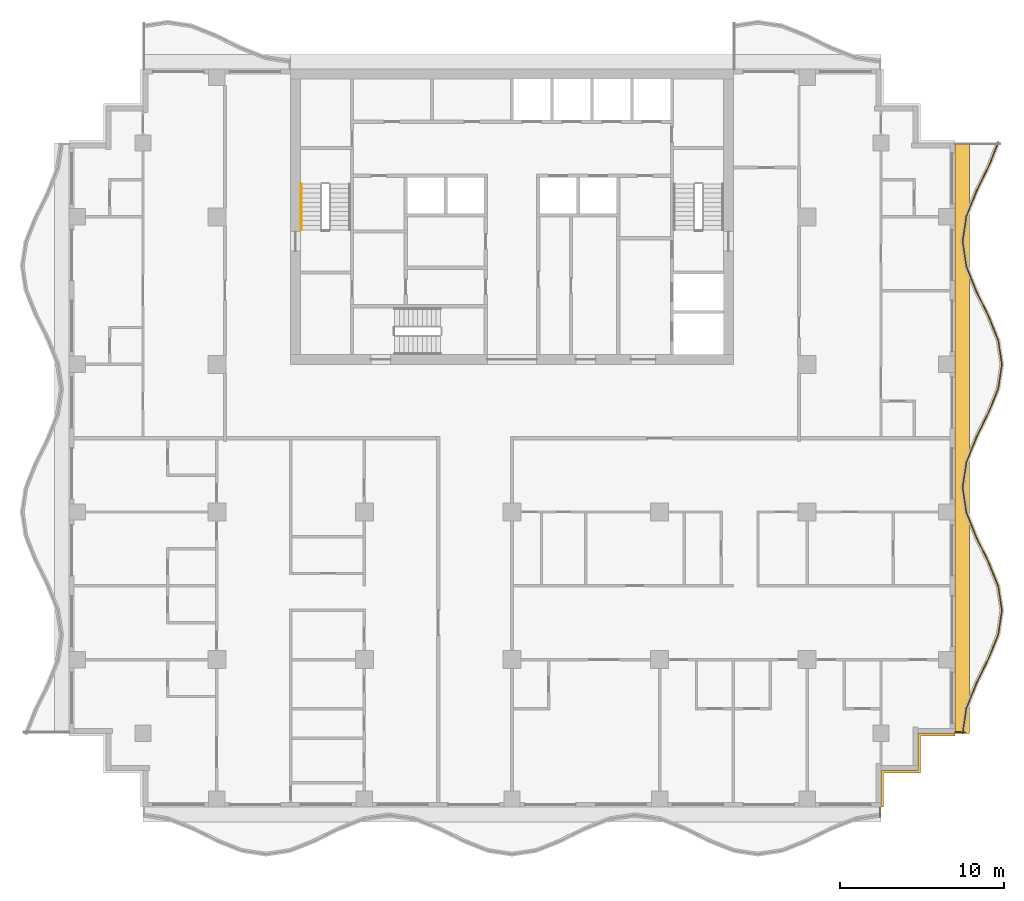
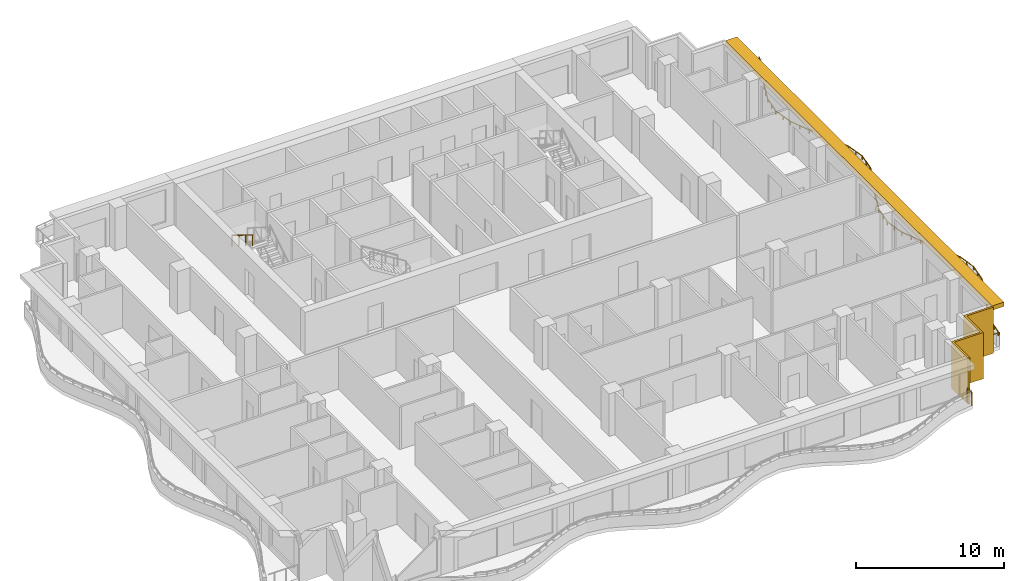
# One storey, part 10 of 12: 4 railings, 2 shading devices.
"""IFC4 building model written with IfcOpenShell, lengths in metres."""

import ifcopenshell
import ifcopenshell.guid

model = None  # the IFC model being written
_history = None  # IfcOwnerHistory: only IFC2X3 demands one
_inside = {}  # id of a spatial element -> (the spatial element, [elements in it])
_under = {}  # id of a project, library or spatial element -> (it, [spatial elements below it])
_declared = {}  # id of a project -> (the project, [libraries it declares])
_typed = {}  # id of a type object -> (the type object, [elements of that type])
_made_of = {}  # id of a material, layer set ... -> (it, [elements and type objects made of it])


def new_model(schema):
    """Start an empty IFC model of exactly this schema.

    Asked for "IFC4X3", IfcOpenShell would pick the latest addendum, in which some entities
    have other attributes; the version numbers below select the first issue.
    IFC2X3 requires an IfcOwnerHistory on every rooted entity: one is made here for all.
    """
    global model, _history
    if schema == "IFC4X3":
        model = ifcopenshell.file(schema_version=(4, 3, 0, 0))
    else:
        model = ifcopenshell.file(schema=schema)
    _inside.clear()
    _under.clear()
    _declared.clear()
    _typed.clear()
    _made_of.clear()
    _history = None
    if model.schema == "IFC2X3":
        org = make("IfcOrganization", Name="unknown")
        user = make(
            "IfcPersonAndOrganization",
            ThePerson=make("IfcPerson", FamilyName="unknown"),
            TheOrganization=org,
        )
        app = make(
            "IfcApplication",
            ApplicationDeveloper=org,
            Version="unknown",
            ApplicationFullName="unknown",
            ApplicationIdentifier="unknown",
        )
        _history = make(
            "IfcOwnerHistory",
            OwningUser=user,
            OwningApplication=app,
            ChangeAction="ADDED",
            CreationDate=0,
        )
    return model


def make(cls, **values):
    """One entity of the class cls with the attributes given. An attribute that is None is left unset."""
    return model.create_entity(
        cls, **{name: value for name, value in values.items() if value is not None}
    )


def rooted(cls, **values):
    """An entity with a GlobalId (a new one), such as an element, a storey or a relation."""
    return make(cls, GlobalId=ifcopenshell.guid.new(), OwnerHistory=_history, **values)


def si_unit(unit_type, name, prefix=None):
    """IfcSIUnit, for example si_unit("LENGTHUNIT", "METRE", prefix="MILLI")."""
    return make("IfcSIUnit", UnitType=unit_type, Prefix=prefix, Name=name)


def assignment(units):
    """IfcUnitAssignment: the units of a project."""
    return None if units is None else make("IfcUnitAssignment", Units=units)


def point(xyz):
    """IfcCartesianPoint."""
    return None if xyz is None else make("IfcCartesianPoint", Coordinates=xyz)


def direction(xyz):
    """IfcDirection."""
    return None if xyz is None else make("IfcDirection", DirectionRatios=xyz)


def frame(location, z_axis=None, x_axis=None):
    """IfcAxis2Placement3D, a coordinate frame: its origin and axes. An axis left out is left unset."""
    return make(
        "IfcAxis2Placement3D",
        Location=point(location),
        Axis=direction(z_axis),
        RefDirection=direction(x_axis),
    )


def frame_2d(location, x_axis=None):
    """IfcAxis2Placement2D, a coordinate frame in the plane: its origin and x axis."""
    return make(
        "IfcAxis2Placement2D", Location=point(location), RefDirection=direction(x_axis)
    )


def origin():
    """The frame at (0, 0, 0) with its axes left unset."""
    return frame((0.0, 0.0, 0.0))


def origin_2d():
    """The frame at (0, 0) in the plane with its x axis left unset."""
    return frame_2d((0.0, 0.0))


def place(relative_to, where):
    """IfcLocalPlacement: puts the frame where relative to a parent placement (None: the world)."""
    return make(
        "IfcLocalPlacement", PlacementRelTo=relative_to, RelativePlacement=where
    )


def context(
    kind, dimensions, precision=None, world=None, true_north=None, identifier=None
):
    """IfcGeometricRepresentationContext, for example the 3D "Model" context."""
    return make(
        "IfcGeometricRepresentationContext",
        ContextIdentifier=identifier,
        ContextType=kind,
        CoordinateSpaceDimension=dimensions,
        Precision=precision,
        WorldCoordinateSystem=world,
        TrueNorth=true_north,
    )


def subcontext(parent, identifier, kind, view, scale=None):
    """IfcGeometricRepresentationSubContext, for example "Body" below "Model"."""
    return make(
        "IfcGeometricRepresentationSubContext",
        ContextIdentifier=identifier,
        ContextType=kind,
        ParentContext=parent,
        TargetScale=scale,
        TargetView=view,
    )


def project(units=None, contexts=None):
    """IfcProject with its units and contexts."""
    return rooted(
        "IfcProject",
        Name="project",
        RepresentationContexts=contexts,
        UnitsInContext=assignment(units),
    )


def spatial(cls, under=None, at=None, **own):
    """A site, building, storey or space (cls), placed at a placement, below another one or the project."""
    s = rooted(cls, ObjectPlacement=at, **own)
    if under is not None:
        _under.setdefault(under.id(), (under, []))[1].append(s)
    return s


def polyline(points):
    """IfcPolyline through the points."""
    return make("IfcPolyline", Points=[point(p) for p in points])


def profile(cls, at=None, kind="AREA", **sizes):
    """A parametric profile (cls). Its sizes go by their IFC names, for example OverallWidth=200.0."""
    return make(cls, ProfileType=kind, Position=at, **sizes)


def rectangle(**sizes):
    """IfcRectangleProfileDef."""
    return profile("IfcRectangleProfileDef", **sizes)


def circle(**sizes):
    """IfcCircleProfileDef."""
    return profile("IfcCircleProfileDef", **sizes)


def outline(outer, holes=None, kind="AREA"):
    """IfcArbitraryClosedProfileDef: a profile drawn as a closed curve; with holes, ...WithVoids."""
    if holes is None:
        return make("IfcArbitraryClosedProfileDef", ProfileType=kind, OuterCurve=outer)
    return make(
        "IfcArbitraryProfileDefWithVoids",
        ProfileType=kind,
        OuterCurve=outer,
        InnerCurves=holes,
    )


def extrude(swept, where, along, depth):
    """IfcExtrudedAreaSolid: the profile swept, set in the frame where, extruded along a direction by depth."""
    return make(
        "IfcExtrudedAreaSolid",
        SweptArea=swept,
        Position=where,
        ExtrudedDirection=direction(along),
        Depth=depth,
    )


def shape(context_of_items, identifier, shape_type, items):
    """IfcShapeRepresentation: the items that make up one representation, for example the "Body"."""
    return make(
        "IfcShapeRepresentation",
        ContextOfItems=context_of_items,
        RepresentationIdentifier=identifier,
        RepresentationType=shape_type,
        Items=items,
    )


def material(Name=None, Category=None):
    """IfcMaterial."""
    return make("IfcMaterial", Name=Name, Category=Category)


def layer(
    of_material, thickness, ventilated=None, Name=None, Category=None, Priority=None
):
    """IfcMaterialLayer: one layer of a wall or slab, of a material (None: an air gap)."""
    return make(
        "IfcMaterialLayer",
        Material=of_material,
        LayerThickness=thickness,
        IsVentilated=ventilated,
        Name=Name,
        Category=Category,
        Priority=Priority,
    )


def layer_set(layers, Name=None):
    """IfcMaterialLayerSet."""
    return make("IfcMaterialLayerSet", MaterialLayers=layers, LayerSetName=Name)


def made_of(thing, what):
    """Note that an element or type object is made of a material, layer set ...; save() writes the relation."""
    if what is not None:
        _made_of.setdefault(what.id(), (what, []))[1].append(thing)
    return thing


def type_object(cls, material=None, **own):
    """A type object (cls), such as IfcWallType, which elements share."""
    return made_of(rooted(cls, **own), material)


def element(
    cls,
    number,
    at=None,
    inside=None,
    cuts=None,
    type_object=None,
    material=None,
    context=None,
    identifier="Body",
    shape_type=None,
    held_by="IfcProductDefinitionShape",
    body=None,
    shapes=None,
    **own,
):
    """One element of the class cls, such as IfcWall. Its Tag is "e" and its number.

    at: its placement. inside: the storey or other place that contains it. cuts: it is an
    opening in that element (IfcRelVoidsElement). A single representation is given by context,
    identifier, shape_type and body (its items); several are given by shapes. held_by: the class
    of the entity that holds the representations. save() writes the other relations.
    """
    e = rooted(cls, Tag="e%d" % number, ObjectPlacement=at, **own)
    if body is not None:
        shapes = [shape(context, identifier, shape_type, body)]
    if shapes is not None:
        e.Representation = make(held_by, Representations=shapes)
    if inside is not None:
        _inside.setdefault(inside.id(), (inside, []))[1].append(e)
    if cuts is not None:
        rooted(
            "IfcRelVoidsElement", RelatingBuildingElement=cuts, RelatedOpeningElement=e
        )
    if type_object is not None:
        _typed.setdefault(type_object.id(), (type_object, []))[1].append(e)
    return made_of(e, material)


def aggregate(whole, parts):
    """IfcRelAggregates: a whole, such as a stair, and the parts it consists of."""
    return rooted("IfcRelAggregates", RelatingObject=whole, RelatedObjects=parts)


def save(model, path):
    """Write the relations noted so far, then the file.

    IfcRelAggregates (storeys below a building ...), IfcRelContainedInSpatialStructure (elements
    in a storey), IfcRelDefinesByType, IfcRelAssociatesMaterial and IfcRelDeclares: one each for
    every whole, place, type object, material and project.
    """
    for whole, parts in _under.values():
        aggregate(whole, parts)
    for where, things in _inside.values():
        rooted(
            "IfcRelContainedInSpatialStructure",
            RelatedElements=things,
            RelatingStructure=where,
        )
    for kind, things in _typed.values():
        rooted("IfcRelDefinesByType", RelatedObjects=things, RelatingType=kind)
    for what, things in _made_of.values():
        rooted("IfcRelAssociatesMaterial", RelatedObjects=things, RelatingMaterial=what)
    for by, libraries in _declared.values():
        rooted("IfcRelDeclares", RelatingContext=by, RelatedDefinitions=libraries)
    model.write(path)


model = new_model("IFC4")

# Units and contexts
model_context = context("Model", 3, precision=1e-05, world=origin(), true_north=direction((0.0, 1.0)))
body_context = subcontext(model_context, "Body", "Model", "MODEL_VIEW")
ifc_project = project(units=[si_unit("LENGTHUNIT", "METRE"), si_unit("AREAUNIT", "SQUARE_METRE"), si_unit("VOLUMEUNIT", "CUBIC_METRE"), si_unit("PLANEANGLEUNIT", "RADIAN"), si_unit("MASSUNIT", "GRAM", prefix="KILO")], contexts=[model_context])

# Site, building, storey
site_placement = place(None, origin())
site = spatial("IfcSite", under=ifc_project, at=site_placement, CompositionType="ELEMENT")
building_placement = place(site_placement, origin())
building = spatial("IfcBuilding", under=site, at=building_placement, Name="Orbiselva Terraces", CompositionType="ELEMENT")
storey_placement = place(building_placement, frame((0.0, 0.0, 203.4)))
storey = spatial("IfcBuildingStorey", under=building, at=storey_placement, Name="L51", CompositionType="ELEMENT", Elevation=203.4)

# Railings
ifc_material_1 = material(Name="Stainless steel", Category="steel")
railing_type_1 = type_object("IfcRailingType", Name="CORE-HANDRAIL-900", PredefinedType="HANDRAIL", material=ifc_material_1)
railing_1_placement = place(storey_placement, frame((-12.85, 15.5, 2.072727)))
element("IfcRailing", 1, at=railing_1_placement, inside=storey, type_object=railing_type_1, Name="L51 S1 stair handrail 2", PredefinedType="HANDRAIL", context=body_context, shape_type="SweptSolid", body=[
    extrude(circle(Radius=0.024, at=origin_2d()), frame((0.0, 0.0, 0.876), z_axis=(0.0, -0.851088519012, 0.52502222125), x_axis=(1.0, 0.0, 0.0)), (0.0, 0.0, 1.0), 3.289905),
    extrude(circle(Radius=0.021, at=origin_2d()), origin(), (0.0, 0.0, 1.0), 0.852),
    extrude(circle(Radius=0.021, at=origin_2d()), frame((0.0, -0.933333, 0.575758)), (0.0, 0.0, 1.0), 0.852),
    extrude(circle(Radius=0.021, at=origin_2d()), frame((0.0, -1.866667, 1.151515)), (0.0, 0.0, 1.0), 0.852),
    extrude(circle(Radius=0.021, at=origin_2d()), frame((0.0, -2.8, 1.727273)), (0.0, 0.0, 1.0), 0.852),
])
ifc_material_2 = material(Name="Bonded two-ply safety glass balustrade, stainless steel posts", Category="steel")
railing_type_2 = type_object("IfcRailingType", Name="ENV-BALUSTRADE-1200", PredefinedType="BALUSTRADE", material=ifc_material_2)
railing_2_placement = place(storey_placement, frame((27.476434, -17.981121, 0.9)))
element("IfcRailing", 2, at=railing_2_placement, inside=storey, type_object=railing_type_2, Name="Balcony balustrade L51 E", PredefinedType="BALUSTRADE", context=body_context, shape_type="SweptSolid", body=[
    extrude(outline(polyline([(0.028868, 0.0), (0.014434, 0.025), (-0.014434, 0.025), (-0.028868, 0.0), (-0.014434, -0.025), (0.014434, -0.025), (0.028868, 0.0)])), frame((0.0, 0.0, 0.275), z_axis=(0.151033869252, 0.988528588529, 0.0), x_axis=(-0.988528588529, 0.151033869252, 0.0)), (0.0, 0.0, 1.0), 1.531776),
    extrude(outline(polyline([(0.028868, 0.0), (0.014434, 0.025), (-0.014434, 0.025), (-0.028868, 0.0), (-0.014434, -0.025), (0.014434, -0.025), (0.028868, 0.0)])), frame((0.23135, 1.514204, 0.275), z_axis=(0.371390359967, 0.92847681744, 0.0), x_axis=(-0.92847681744, 0.371390359967, 0.0)), (0.0, 0.0, 1.0), 1.634838),
    extrude(outline(polyline([(0.028868, 0.0), (0.014434, 0.025), (-0.014434, 0.025), (-0.028868, 0.0), (-0.014434, -0.025), (0.014434, -0.025), (0.028868, 0.0)])), frame((0.838513, 3.032113, 0.275), z_axis=(0.443212307306, 0.896416672454, 0.0), x_axis=(-0.896416672454, 0.443212307306, 0.0)), (0.0, 0.0, 1.0), 1.673329),
    extrude(outline(polyline([(0.028868, 0.0), (0.014434, 0.025), (-0.014434, 0.025), (-0.028868, 0.0), (-0.014434, -0.025), (0.014434, -0.025), (0.028868, 0.0)])), frame((1.580153, 4.532113, 0.275), z_axis=(0.371391000387, 0.928476561272, 0.0), x_axis=(-0.928476561272, 0.371391000387, 0.0)), (0.0, 0.0, 1.0), 1.596261),
    extrude(outline(polyline([(0.028868, 0.0), (0.014434, 0.025), (-0.014434, 0.025), (-0.028868, 0.0), (-0.014434, -0.025), (0.014434, -0.025), (0.028868, 0.0)])), frame((2.17299, 6.014204, 0.275), z_axis=(0.151033749027, 0.988528606898, 0.0), x_axis=(-0.988528606898, 0.151033749027, 0.0)), (0.0, 0.0, 1.0), 1.48394),
    extrude(outline(polyline([(0.028868, 0.0), (0.014434, 0.025), (-0.014434, 0.025), (-0.028868, 0.0), (-0.014434, -0.025), (0.014434, -0.025), (0.028868, 0.0)])), frame((2.397115, 7.481121, 0.275), z_axis=(-0.151033749027, 0.988528606898, 0.0), x_axis=(-0.988528606898, -0.151033749027, 0.0)), (0.0, 0.0, 1.0), 1.48394),
    extrude(outline(polyline([(0.028868, 0.0), (0.014434, 0.025), (-0.014434, 0.025), (-0.028868, 0.0), (-0.014434, -0.025), (0.014434, -0.025), (0.028868, 0.0)])), frame((2.17299, 8.948038, 0.275), z_axis=(-0.371391000387, 0.928476561272, 0.0), x_axis=(-0.928476561272, -0.371391000387, 0.0)), (0.0, 0.0, 1.0), 1.596261),
    extrude(outline(polyline([(0.028868, 0.0), (0.014434, 0.025), (-0.014434, 0.025), (-0.028868, 0.0), (-0.014434, -0.025), (0.014434, -0.025), (0.028868, 0.0)])), frame((1.580153, 10.430129, 0.275), z_axis=(-0.443212307306, 0.896416672454, 0.0), x_axis=(-0.896416672454, -0.443212307306, 0.0)), (0.0, 0.0, 1.0), 1.673329),
    extrude(outline(polyline([(0.028868, 0.0), (0.014434, 0.025), (-0.014434, 0.025), (-0.028868, 0.0), (-0.014434, -0.025), (0.014434, -0.025), (0.028868, 0.0)])), frame((0.838513, 11.930129, 0.275), z_axis=(-0.371390359967, 0.92847681744, 0.0), x_axis=(-0.92847681744, -0.371390359967, 0.0)), (0.0, 0.0, 1.0), 1.634838),
    extrude(outline(polyline([(0.028868, 0.0), (0.014434, 0.025), (-0.014434, 0.025), (-0.028868, 0.0), (-0.014434, -0.025), (0.014434, -0.025), (0.028868, 0.0)])), frame((0.23135, 13.448038, 0.275), z_axis=(-0.151034211256, 0.988528536275, 0.0), x_axis=(-0.988528536275, -0.151034211256, 0.0)), (0.0, 0.0, 1.0), 1.550874),
    extrude(outline(polyline([(0.028868, 0.0), (0.014434, 0.025), (-0.014434, 0.025), (-0.028868, 0.0), (-0.014434, -0.025), (0.014434, -0.025), (0.028868, 0.0)])), frame((-0.002885, 14.981121, 0.275), z_axis=(0.151034211256, 0.988528536275, 0.0), x_axis=(-0.988528536275, 0.151034211256, 0.0)), (0.0, 0.0, 1.0), 1.550874),
    extrude(outline(polyline([(0.028868, 0.0), (0.014434, 0.025), (-0.014434, 0.025), (-0.028868, 0.0), (-0.014434, -0.025), (0.014434, -0.025), (0.028868, 0.0)])), frame((0.23135, 16.514204, 0.275), z_axis=(0.371390359967, 0.92847681744, 0.0), x_axis=(-0.92847681744, 0.371390359967, 0.0)), (0.0, 0.0, 1.0), 1.634838),
    extrude(outline(polyline([(0.028868, 0.0), (0.014434, 0.025), (-0.014434, 0.025), (-0.028868, 0.0), (-0.014434, -0.025), (0.014434, -0.025), (0.028868, 0.0)])), frame((0.838513, 18.032113, 0.275), z_axis=(0.443212307306, 0.896416672454, 0.0), x_axis=(-0.896416672454, 0.443212307306, 0.0)), (0.0, 0.0, 1.0), 1.673329),
    extrude(outline(polyline([(0.028868, 0.0), (0.014434, 0.025), (-0.014434, 0.025), (-0.028868, 0.0), (-0.014434, -0.025), (0.014434, -0.025), (0.028868, 0.0)])), frame((1.580153, 19.532113, 0.275), z_axis=(0.371391000387, 0.928476561272, 0.0), x_axis=(-0.928476561272, 0.371391000387, 0.0)), (0.0, 0.0, 1.0), 1.596261),
    extrude(outline(polyline([(0.028868, 0.0), (0.014434, 0.025), (-0.014434, 0.025), (-0.028868, 0.0), (-0.014434, -0.025), (0.014434, -0.025), (0.028868, 0.0)])), frame((2.17299, 21.014204, 0.275), z_axis=(0.151033749027, 0.988528606898, 0.0), x_axis=(-0.988528606898, 0.151033749027, 0.0)), (0.0, 0.0, 1.0), 1.48394),
    extrude(outline(polyline([(0.028868, 0.0), (0.014434, 0.025), (-0.014434, 0.025), (-0.028868, 0.0), (-0.014434, -0.025), (0.014434, -0.025), (0.028868, 0.0)])), frame((2.397115, 22.481121, 0.275), z_axis=(-0.151033749027, 0.988528606898, 0.0), x_axis=(-0.988528606898, -0.151033749027, 0.0)), (0.0, 0.0, 1.0), 1.48394),
    extrude(outline(polyline([(0.028868, 0.0), (0.014434, 0.025), (-0.014434, 0.025), (-0.028868, 0.0), (-0.014434, -0.025), (0.014434, -0.025), (0.028868, 0.0)])), frame((2.17299, 23.948038, 0.275), z_axis=(-0.371391000387, 0.928476561272, 0.0), x_axis=(-0.928476561272, -0.371391000387, 0.0)), (0.0, 0.0, 1.0), 1.596261),
    extrude(outline(polyline([(0.028868, 0.0), (0.014434, 0.025), (-0.014434, 0.025), (-0.028868, 0.0), (-0.014434, -0.025), (0.014434, -0.025), (0.028868, 0.0)])), frame((1.580153, 25.430129, 0.275), z_axis=(-0.443212307306, 0.896416672454, 0.0), x_axis=(-0.896416672454, -0.443212307306, 0.0)), (0.0, 0.0, 1.0), 1.673329),
    extrude(outline(polyline([(0.028868, 0.0), (0.014434, 0.025), (-0.014434, 0.025), (-0.028868, 0.0), (-0.014434, -0.025), (0.014434, -0.025), (0.028868, 0.0)])), frame((0.838513, 26.930129, 0.275), z_axis=(-0.371390359967, 0.92847681744, 0.0), x_axis=(-0.92847681744, -0.371390359967, 0.0)), (0.0, 0.0, 1.0), 1.634838),
    extrude(outline(polyline([(0.028868, 0.0), (0.014434, 0.025), (-0.014434, 0.025), (-0.028868, 0.0), (-0.014434, -0.025), (0.014434, -0.025), (0.028868, 0.0)])), frame((0.23135, 28.448038, 0.275), z_axis=(-0.151034211256, 0.988528536275, 0.0), x_axis=(-0.988528536275, -0.151034211256, 0.0)), (0.0, 0.0, 1.0), 1.550874),
    extrude(outline(polyline([(0.028868, 0.0), (0.014434, 0.025), (-0.014434, 0.025), (-0.028868, 0.0), (-0.014434, -0.025), (0.014434, -0.025), (0.028868, 0.0)])), frame((-0.002885, 29.981121, 0.275), z_axis=(0.151034211256, 0.988528536275, 0.0), x_axis=(-0.988528536275, 0.151034211256, 0.0)), (0.0, 0.0, 1.0), 1.550874),
    extrude(outline(polyline([(0.028868, 0.0), (0.014434, 0.025), (-0.014434, 0.025), (-0.028868, 0.0), (-0.014434, -0.025), (0.014434, -0.025), (0.028868, 0.0)])), frame((0.23135, 31.514204, 0.275), z_axis=(0.371390359967, 0.92847681744, 0.0), x_axis=(-0.92847681744, 0.371390359967, 0.0)), (0.0, 0.0, 1.0), 1.634838),
    extrude(outline(polyline([(0.028868, 0.0), (0.014434, 0.025), (-0.014434, 0.025), (-0.028868, 0.0), (-0.014434, -0.025), (0.014434, -0.025), (0.028868, 0.0)])), frame((0.838513, 33.032113, 0.275), z_axis=(0.443212307306, 0.896416672454, 0.0), x_axis=(-0.896416672454, 0.443212307306, 0.0)), (0.0, 0.0, 1.0), 1.673329),
    extrude(outline(polyline([(0.028868, 0.0), (0.014434, 0.025), (-0.014434, 0.025), (-0.028868, 0.0), (-0.014434, -0.025), (0.014434, -0.025), (0.028868, 0.0)])), frame((1.580153, 34.532113, 0.275), z_axis=(0.371390783402, 0.928476648066, 0.0), x_axis=(-0.928476648066, 0.371390783402, 0.0)), (0.0, 0.0, 1.0), 1.61063),
    extrude(rectangle(XDim=0.05, YDim=0.05, at=origin_2d()), origin(), (0.0, 0.0, 1.0), 0.25),
    extrude(rectangle(XDim=0.05, YDim=0.05, at=origin_2d()), frame((0.115675, 0.757102, 0.0)), (0.0, 0.0, 1.0), 0.25),
    extrude(rectangle(XDim=0.05, YDim=0.05, at=origin_2d()), frame((0.23135, 1.514204, 0.0)), (0.0, 0.0, 1.0), 0.25),
    extrude(rectangle(XDim=0.05, YDim=0.05, at=origin_2d()), frame((0.534931, 2.273159, 0.0)), (0.0, 0.0, 1.0), 0.25),
    extrude(rectangle(XDim=0.05, YDim=0.05, at=origin_2d()), frame((0.838513, 3.032113, 0.0)), (0.0, 0.0, 1.0), 0.25),
    extrude(rectangle(XDim=0.05, YDim=0.05, at=origin_2d()), frame((1.209333, 3.782113, 0.0)), (0.0, 0.0, 1.0), 0.25),
    extrude(rectangle(XDim=0.05, YDim=0.05, at=origin_2d()), frame((1.580153, 4.532113, 0.0)), (0.0, 0.0, 1.0), 0.25),
    extrude(rectangle(XDim=0.05, YDim=0.05, at=origin_2d()), frame((1.876571, 5.273159, 0.0)), (0.0, 0.0, 1.0), 0.25),
    extrude(rectangle(XDim=0.05, YDim=0.05, at=origin_2d()), frame((2.17299, 6.014204, 0.0)), (0.0, 0.0, 1.0), 0.25),
    extrude(rectangle(XDim=0.05, YDim=0.05, at=origin_2d()), frame((2.285052, 6.747663, 0.0)), (0.0, 0.0, 1.0), 0.25),
    extrude(rectangle(XDim=0.05, YDim=0.05, at=origin_2d()), frame((2.397115, 7.481121, 0.0)), (0.0, 0.0, 1.0), 0.25),
    extrude(rectangle(XDim=0.05, YDim=0.05, at=origin_2d()), frame((2.285052, 8.21458, 0.0)), (0.0, 0.0, 1.0), 0.25),
    extrude(rectangle(XDim=0.05, YDim=0.05, at=origin_2d()), frame((2.17299, 8.948038, 0.0)), (0.0, 0.0, 1.0), 0.25),
    extrude(rectangle(XDim=0.05, YDim=0.05, at=origin_2d()), frame((1.876571, 9.689084, 0.0)), (0.0, 0.0, 1.0), 0.25),
    extrude(rectangle(XDim=0.05, YDim=0.05, at=origin_2d()), frame((1.580153, 10.430129, 0.0)), (0.0, 0.0, 1.0), 0.25),
    extrude(rectangle(XDim=0.05, YDim=0.05, at=origin_2d()), frame((1.209333, 11.180129, 0.0)), (0.0, 0.0, 1.0), 0.25),
    extrude(rectangle(XDim=0.05, YDim=0.05, at=origin_2d()), frame((0.838513, 11.930129, 0.0)), (0.0, 0.0, 1.0), 0.25),
    extrude(rectangle(XDim=0.05, YDim=0.05, at=origin_2d()), frame((0.534931, 12.689084, 0.0)), (0.0, 0.0, 1.0), 0.25),
    extrude(rectangle(XDim=0.05, YDim=0.05, at=origin_2d()), frame((0.23135, 13.448038, 0.0)), (0.0, 0.0, 1.0), 0.25),
    extrude(rectangle(XDim=0.05, YDim=0.05, at=origin_2d()), frame((0.114232, 14.21458, 0.0)), (0.0, 0.0, 1.0), 0.25),
    extrude(rectangle(XDim=0.05, YDim=0.05, at=origin_2d()), frame((-0.002885, 14.981121, 0.0)), (0.0, 0.0, 1.0), 0.25),
    extrude(rectangle(XDim=0.05, YDim=0.05, at=origin_2d()), frame((0.114232, 15.747663, 0.0)), (0.0, 0.0, 1.0), 0.25),
    extrude(rectangle(XDim=0.05, YDim=0.05, at=origin_2d()), frame((0.23135, 16.514204, 0.0)), (0.0, 0.0, 1.0), 0.25),
    extrude(rectangle(XDim=0.05, YDim=0.05, at=origin_2d()), frame((0.534931, 17.273158, 0.0)), (0.0, 0.0, 1.0), 0.25),
    extrude(rectangle(XDim=0.05, YDim=0.05, at=origin_2d()), frame((0.838513, 18.032113, 0.0)), (0.0, 0.0, 1.0), 0.25),
    extrude(rectangle(XDim=0.05, YDim=0.05, at=origin_2d()), frame((1.209333, 18.782113, 0.0)), (0.0, 0.0, 1.0), 0.25),
    extrude(rectangle(XDim=0.05, YDim=0.05, at=origin_2d()), frame((1.580153, 19.532113, 0.0)), (0.0, 0.0, 1.0), 0.25),
    extrude(rectangle(XDim=0.05, YDim=0.05, at=origin_2d()), frame((1.876571, 20.273158, 0.0)), (0.0, 0.0, 1.0), 0.25),
    extrude(rectangle(XDim=0.05, YDim=0.05, at=origin_2d()), frame((2.17299, 21.014204, 0.0)), (0.0, 0.0, 1.0), 0.25),
    extrude(rectangle(XDim=0.05, YDim=0.05, at=origin_2d()), frame((2.285052, 21.747663, 0.0)), (0.0, 0.0, 1.0), 0.25),
    extrude(rectangle(XDim=0.05, YDim=0.05, at=origin_2d()), frame((2.397115, 22.481121, 0.0)), (0.0, 0.0, 1.0), 0.25),
    extrude(rectangle(XDim=0.05, YDim=0.05, at=origin_2d()), frame((2.285052, 23.21458, 0.0)), (0.0, 0.0, 1.0), 0.25),
    extrude(rectangle(XDim=0.05, YDim=0.05, at=origin_2d()), frame((2.17299, 23.948038, 0.0)), (0.0, 0.0, 1.0), 0.25),
    extrude(rectangle(XDim=0.05, YDim=0.05, at=origin_2d()), frame((1.876571, 24.689084, 0.0)), (0.0, 0.0, 1.0), 0.25),
    extrude(rectangle(XDim=0.05, YDim=0.05, at=origin_2d()), frame((1.580153, 25.430129, 0.0)), (0.0, 0.0, 1.0), 0.25),
    extrude(rectangle(XDim=0.05, YDim=0.05, at=origin_2d()), frame((1.209333, 26.180129, 0.0)), (0.0, 0.0, 1.0), 0.25),
    extrude(rectangle(XDim=0.05, YDim=0.05, at=origin_2d()), frame((0.838513, 26.930129, 0.0)), (0.0, 0.0, 1.0), 0.25),
    extrude(rectangle(XDim=0.05, YDim=0.05, at=origin_2d()), frame((0.534931, 27.689084, 0.0)), (0.0, 0.0, 1.0), 0.25),
    extrude(rectangle(XDim=0.05, YDim=0.05, at=origin_2d()), frame((0.23135, 28.448038, 0.0)), (0.0, 0.0, 1.0), 0.25),
    extrude(rectangle(XDim=0.05, YDim=0.05, at=origin_2d()), frame((0.114232, 29.21458, 0.0)), (0.0, 0.0, 1.0), 0.25),
    extrude(rectangle(XDim=0.05, YDim=0.05, at=origin_2d()), frame((-0.002885, 29.981121, 0.0)), (0.0, 0.0, 1.0), 0.25),
    extrude(rectangle(XDim=0.05, YDim=0.05, at=origin_2d()), frame((0.114232, 30.747662, 0.0)), (0.0, 0.0, 1.0), 0.25),
    extrude(rectangle(XDim=0.05, YDim=0.05, at=origin_2d()), frame((0.23135, 31.514204, 0.0)), (0.0, 0.0, 1.0), 0.25),
    extrude(rectangle(XDim=0.05, YDim=0.05, at=origin_2d()), frame((0.534931, 32.273158, 0.0)), (0.0, 0.0, 1.0), 0.25),
    extrude(rectangle(XDim=0.05, YDim=0.05, at=origin_2d()), frame((0.838513, 33.032113, 0.0)), (0.0, 0.0, 1.0), 0.25),
    extrude(rectangle(XDim=0.05, YDim=0.05, at=origin_2d()), frame((1.209333, 33.782113, 0.0)), (0.0, 0.0, 1.0), 0.25),
    extrude(rectangle(XDim=0.05, YDim=0.05, at=origin_2d()), frame((1.580153, 34.532113, 0.0)), (0.0, 0.0, 1.0), 0.25),
    extrude(rectangle(XDim=0.05, YDim=0.05, at=origin_2d()), frame((1.879239, 35.279829, 0.0)), (0.0, 0.0, 1.0), 0.25),
    extrude(rectangle(XDim=0.05, YDim=0.05, at=origin_2d()), frame((2.178326, 36.027545, 0.0)), (0.0, 0.0, 1.0), 0.25),
])
ifc_material_3 = material(Name="Stainless steel rail and posts", Category="steel")
railing_type_3 = type_object("IfcRailingType", Name="ENV-GUARD-1105", PredefinedType="BALUSTRADE", material=ifc_material_3)
railing_3_placement = place(storey_placement, frame((22.44, -23.100379, 0.0)))
element("IfcRailing", 3, at=railing_3_placement, inside=storey, type_object=railing_type_3, Name="Balcony end guard L51 S", PredefinedType="BALUSTRADE", context=body_context, shape_type="SweptSolid", body=[
    extrude(outline(polyline([(0.028868, 0.0), (0.014434, 0.025), (-0.014434, 0.025), (-0.028868, 0.0), (-0.014434, -0.025), (0.014434, -0.025), (0.028868, 0.0)])), frame((0.0, 0.0, 1.08), z_axis=(0.0, 1.0, 0.0), x_axis=(-1.0, 0.0, 0.0)), (0.0, 0.0, 1.0), 0.575379),
    extrude(rectangle(XDim=0.05, YDim=0.05, at=origin_2d()), origin(), (0.0, 0.0, 1.0), 1.055),
    extrude(rectangle(XDim=0.05, YDim=0.05, at=origin_2d()), frame((0.0, 0.575379, 0.0)), (0.0, 0.0, 1.0), 1.055),
])
railing_4_placement = place(storey_placement, frame((27.600379, -17.94, 0.0)))
element("IfcRailing", 4, at=railing_4_placement, inside=storey, type_object=railing_type_3, Name="Balcony end guard L51 E", PredefinedType="BALUSTRADE", context=body_context, shape_type="SweptSolid", body=[
    extrude(outline(polyline([(0.028868, 0.0), (0.014434, 0.025), (-0.014434, 0.025), (-0.028868, 0.0), (-0.014434, -0.025), (0.014434, -0.025), (0.028868, 0.0)])), frame((0.0, 0.0, 1.08), z_axis=(-1.0, 0.0, 0.0), x_axis=(0.0, -1.0, 0.0)), (0.0, 0.0, 1.0), 0.575379),
    extrude(rectangle(XDim=0.05, YDim=0.05, at=origin_2d()), origin(), (0.0, 0.0, 1.0), 1.055),
    extrude(rectangle(XDim=0.05, YDim=0.05, at=origin_2d()), frame((-0.575379, 0.0, 0.0)), (0.0, 0.0, 1.0), 1.055),
])

# Shading devices
ifc_material_4 = material(Name="Terracotta louvre screen", Category="masonry")
ifc_layer_1 = layer(ifc_material_4, 0.15)
ifc_layer_set_1 = layer_set([ifc_layer_1], Name="Terracotta louvre screen")
shading_device_type_1 = type_object("IfcShadingDeviceType", Name="ENV-SCREEN-150", PredefinedType="USERDEFINED", material=ifc_layer_set_1)
shading_device_1_placement = place(storey_placement, frame((0.0, 0.0, -0.3)))
element("IfcShadingDevice", 5, at=shading_device_1_placement, inside=storey, type_object=shading_device_type_1, Name="Louvre screen L51 SE", ObjectType="SCREEN", PredefinedType="USERDEFINED", context=body_context, shape_type="SweptSolid", body=[
    extrude(outline(polyline([(22.65, -22.5), (22.65, -20.4), (24.9, -20.4), (24.9, -18.15), (27.0, -18.15), (27.0, -18.0), (24.75, -18.0), (24.75, -20.25), (22.5, -20.25), (22.5, -22.5), (22.65, -22.5)])), origin(), (0.0, 0.0, 1.0), 3.8),
])
ifc_material_5 = material(Name="Terracotta baguette sunshade", Category="masonry")
ifc_layer_2 = layer(ifc_material_5, 0.35)
ifc_layer_set_2 = layer_set([ifc_layer_2], Name="Terracotta baguette sunshade")
shading_device_type_2 = type_object("IfcShadingDeviceType", Name="ENV-SUNSHADE-900x350", PredefinedType="USERDEFINED", material=ifc_layer_set_2)
shading_device_2_placement = place(storey_placement, frame((0.0, 0.0, 3.15)))
element("IfcShadingDevice", 6, at=shading_device_2_placement, inside=storey, type_object=shading_device_type_2, Name="Sunshade band L51 E", ObjectType="SUNSHADE", PredefinedType="USERDEFINED", context=body_context, shape_type="SweptSolid", body=[
    extrude(outline(polyline([(27.9, -18.0), (27.9, 18.0), (27.0, 18.0), (27.0, -18.0), (27.9, -18.0)])), origin(), (0.0, 0.0, 1.0), 0.35),
])

save(model, "model.ifc")
